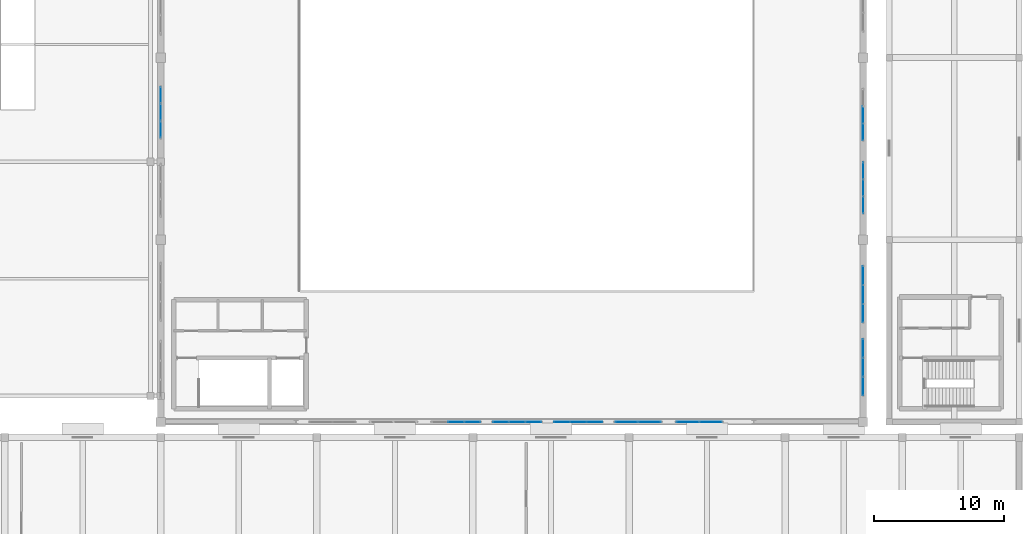
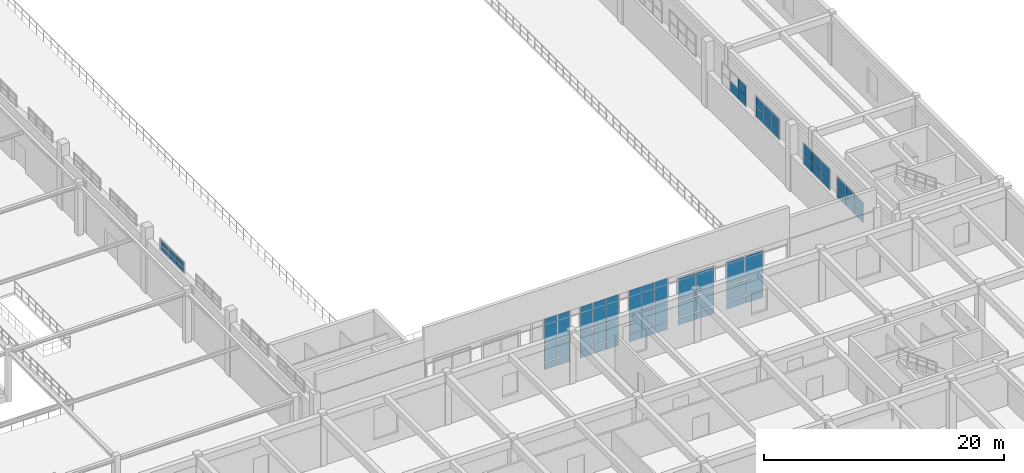
# One storey, part 163 of 197: 63 plates, 10 elements without a shape of their own.
"""IFC4 building model written with IfcOpenShell, lengths in metres."""

from ifc_helpers import new_model, si_unit, derived_unit, direction, frame, origin, origin_2d, place, context, subcontext, project, spatial, rectangle, extrude, material, layer, layer_set, type_object, element, aggregate, save


model = new_model("IFC4")

# Units and contexts
model_context = context("Model", 3, precision=1e-05, world=origin(), true_north=direction((0.0, 1.0)))
body_context = subcontext(model_context, "Body", "Model", "MODEL_VIEW")
ifc_project = project(units=[si_unit("LENGTHUNIT", "METRE"), si_unit("AREAUNIT", "SQUARE_METRE"), si_unit("VOLUMEUNIT", "CUBIC_METRE"), si_unit("PLANEANGLEUNIT", "RADIAN"), si_unit("MASSUNIT", "GRAM", prefix="KILO"), derived_unit("THERMALTRANSMITTANCEUNIT", [(si_unit("POWERUNIT", "WATT"), 1), (si_unit("LENGTHUNIT", "METRE"), -2), (si_unit("THERMODYNAMICTEMPERATUREUNIT", "KELVIN"), -1)])], contexts=[model_context])

# Site, building, storey
site_placement = place(None, origin())
site = spatial("IfcSite", under=ifc_project, at=site_placement, CompositionType="ELEMENT")
building_placement = place(site_placement, origin())
building = spatial("IfcBuilding", under=site, at=building_placement, Name="Almenara Railside Exhibition Hall", CompositionType="ELEMENT")
storey_placement = place(building_placement, frame((0.0, 0.0, 5.39990234375)))
storey = spatial("IfcBuildingStorey", under=building, at=storey_placement, Name="L01", CompositionType="ELEMENT", Elevation=5.39990234375)

# Curtain wall, plates
ifc_material_1 = material(Name="Bronze-anodised aluminium and low-E double glazing", Category="aluminium")
ifc_layer_1 = layer(ifc_material_1, 0.179931640625, Name="Bronze-anodised aluminium and low-E double glazing")
ifc_layer_set_1 = layer_set([ifc_layer_1], Name="Bronze-anodised aluminium and low-E double glazing")
curtain_wall_type_1 = type_object("IfcCurtainWallType", Name="Scroll Gable Standard Curtain Wall 3600x5000", PredefinedType="NOTDEFINED", material=ifc_layer_set_1)
curtain_wall_1_placement = place(storey_placement, origin())
curtain_wall_1 = element("IfcCurtainWall", 1, at=curtain_wall_1_placement, inside=storey, type_object=curtain_wall_type_1, Name="Curtain wall CW-G2-085", PredefinedType="NOTDEFINED")
ifc_material_2 = material(Name="Solar-control acoustic laminated glazing", Category="glass")
ifc_layer_2 = layer(ifc_material_2, 0.031982421875, Name="Solar-control acoustic laminated glazing")
ifc_layer_set_2 = layer_set([ifc_layer_2], Name="Solar-control acoustic laminated glazing")
plate_type_1 = type_object("IfcPlateType", Name="Acoustic Low-E Double Glazing Panel 32mm", PredefinedType="CURTAIN_PANEL", material=ifc_layer_set_2)
plate_1_placement = place(storey_placement, frame((178.516357421875, 34.0, 1.173828125), z_axis=(0.0, 0.0, 1.0), x_axis=(1.0, 0.0, 0.0)))
plate_1 = element("IfcPlate", 2, at=plate_1_placement, type_object=plate_type_1, Name="CW-G2-085 panel 1.1", PredefinedType="CURTAIN_PANEL", context=body_context, shape_type="SweptSolid", body=[
    extrude(rectangle(XDim=1.718505859375, YDim=0.031982421875, at=origin_2d()), origin(), (0.0, 0.0, 1.0), 0.672119140625),
])
plate_2_placement = place(storey_placement, frame((178.516357421875, 34.0, 1.9541015625), z_axis=(0.0, 0.0, 1.0), x_axis=(1.0, 0.0, 0.0)))
plate_2 = element("IfcPlate", 3, at=plate_2_placement, type_object=plate_type_1, Name="CW-G2-085 panel 1.2", PredefinedType="CURTAIN_PANEL", context=body_context, shape_type="SweptSolid", body=[
    extrude(rectangle(XDim=1.718505859375, YDim=0.031982421875, at=origin_2d()), origin(), (0.0, 0.0, 1.0), 1.5419921875),
])
plate_3_placement = place(storey_placement, frame((178.516357421875, 34.0, 3.60400390625), z_axis=(0.0, 0.0, 1.0), x_axis=(1.0, 0.0, 0.0)))
plate_3 = element("IfcPlate", 4, at=plate_3_placement, type_object=plate_type_1, Name="CW-G2-085 panel 1.3", PredefinedType="CURTAIN_PANEL", context=body_context, shape_type="SweptSolid", body=[
    extrude(rectangle(XDim=1.718505859375, YDim=0.031982421875, at=origin_2d()), origin(), (0.0, 0.0, 1.0), 2.322021484375),
])
plate_4_placement = place(storey_placement, frame((180.28369140625, 34.0, 1.173828125), z_axis=(0.0, 0.0, 1.0), x_axis=(1.0, 0.0, 0.0)))
plate_4 = element("IfcPlate", 5, at=plate_4_placement, type_object=plate_type_1, Name="CW-G2-085 panel 2.1", PredefinedType="CURTAIN_PANEL", context=body_context, shape_type="SweptSolid", body=[
    extrude(rectangle(XDim=1.718505859375, YDim=0.031982421875, at=origin_2d()), origin(), (0.0, 0.0, 1.0), 0.672119140625),
])
plate_5_placement = place(storey_placement, frame((180.28369140625, 34.0, 1.9541015625), z_axis=(0.0, 0.0, 1.0), x_axis=(1.0, 0.0, 0.0)))
plate_5 = element("IfcPlate", 6, at=plate_5_placement, type_object=plate_type_1, Name="CW-G2-085 panel 2.2", PredefinedType="CURTAIN_PANEL", context=body_context, shape_type="SweptSolid", body=[
    extrude(rectangle(XDim=1.718505859375, YDim=0.031982421875, at=origin_2d()), origin(), (0.0, 0.0, 1.0), 1.5419921875),
])
plate_6_placement = place(storey_placement, frame((180.28369140625, 34.0, 3.60400390625), z_axis=(0.0, 0.0, 1.0), x_axis=(1.0, 0.0, 0.0)))
plate_6 = element("IfcPlate", 7, at=plate_6_placement, type_object=plate_type_1, Name="CW-G2-085 panel 2.3", PredefinedType="CURTAIN_PANEL", context=body_context, shape_type="SweptSolid", body=[
    extrude(rectangle(XDim=1.718505859375, YDim=0.031982421875, at=origin_2d()), origin(), (0.0, 0.0, 1.0), 2.322021484375),
])
aggregate(curtain_wall_1, [plate_1, plate_2, plate_3, plate_4, plate_5, plate_6])

ifc_layer_3 = layer(ifc_material_1, 0.179931640625, Name="Bronze-anodised aluminium and low-E double glazing")
ifc_layer_set_3 = layer_set([ifc_layer_3], Name="Bronze-anodised aluminium and low-E double glazing")
curtain_wall_type_2 = type_object("IfcCurtainWallType", Name="East Hall Clerestory Curtain Wall 4000x2100", PredefinedType="NOTDEFINED", material=ifc_layer_set_3)
curtain_wall_2_placement = place(storey_placement, origin())
curtain_wall_2 = element("IfcCurtainWall", 8, at=curtain_wall_2_placement, inside=storey, type_object=curtain_wall_type_2, Name="Curtain wall CW-CL4-057", PredefinedType="NOTDEFINED")
ifc_material_3 = material(Name="Clear low-E laminated double glazing", Category="glass")
ifc_layer_4 = layer(ifc_material_3, 0.02392578125, Name="Clear low-E laminated double glazing")
ifc_layer_set_4 = layer_set([ifc_layer_4], Name="Clear low-E laminated double glazing")
plate_type_2 = type_object("IfcPlateType", Name="Courtyard Clear Double Glazing Panel 24mm", PredefinedType="CURTAIN_PANEL", material=ifc_layer_set_4)
plate_7_placement = place(storey_placement, frame((192.0, 50.681640625, 3.744140625), z_axis=(0.0, 0.0, 1.0), x_axis=(0.0, 1.0, 0.0)))
plate_7 = element("IfcPlate", 9, at=plate_7_placement, type_object=plate_type_2, Name="CW-CL4-057 panel 1.1", PredefinedType="CURTAIN_PANEL", context=body_context, shape_type="SweptSolid", body=[
    extrude(rectangle(XDim=1.25927734375, YDim=0.02392578125, at=origin_2d()), origin(), (0.0, 0.0, 1.0), 0.967041015625),
])
plate_8_placement = place(storey_placement, frame((192.0, 50.681640625, 4.7890625), z_axis=(0.0, 0.0, 1.0), x_axis=(0.0, 1.0, 0.0)))
plate_8 = element("IfcPlate", 10, at=plate_8_placement, type_object=plate_type_2, Name="CW-CL4-057 panel 1.2", PredefinedType="CURTAIN_PANEL", context=body_context, shape_type="SweptSolid", body=[
    extrude(rectangle(XDim=1.25927734375, YDim=0.02392578125, at=origin_2d()), origin(), (0.0, 0.0, 1.0), 0.967041015625),
])
plate_9_placement = place(storey_placement, frame((192.0, 52.0, 3.744140625), z_axis=(0.0, 0.0, 1.0), x_axis=(0.0, 1.0, 0.0)))
plate_9 = element("IfcPlate", 11, at=plate_9_placement, type_object=plate_type_2, Name="CW-CL4-057 panel 2.1", PredefinedType="CURTAIN_PANEL", context=body_context, shape_type="SweptSolid", body=[
    extrude(rectangle(XDim=1.289306640625, YDim=0.02392578125, at=origin_2d()), origin(), (0.0, 0.0, 1.0), 0.967041015625),
])
plate_10_placement = place(storey_placement, frame((192.0, 52.0, 4.7890625), z_axis=(0.0, 0.0, 1.0), x_axis=(0.0, 1.0, 0.0)))
plate_10 = element("IfcPlate", 12, at=plate_10_placement, type_object=plate_type_2, Name="CW-CL4-057 panel 2.2", PredefinedType="CURTAIN_PANEL", context=body_context, shape_type="SweptSolid", body=[
    extrude(rectangle(XDim=1.289306640625, YDim=0.02392578125, at=origin_2d()), origin(), (0.0, 0.0, 1.0), 0.967041015625),
])
plate_11_placement = place(storey_placement, frame((192.0, 53.318359375, 3.744140625), z_axis=(0.0, 0.0, 1.0), x_axis=(0.0, 1.0, 0.0)))
plate_11 = element("IfcPlate", 13, at=plate_11_placement, type_object=plate_type_2, Name="CW-CL4-057 panel 3.1", PredefinedType="CURTAIN_PANEL", context=body_context, shape_type="SweptSolid", body=[
    extrude(rectangle(XDim=1.25927734375, YDim=0.02392578125, at=origin_2d()), origin(), (0.0, 0.0, 1.0), 0.967041015625),
])
plate_12_placement = place(storey_placement, frame((192.0, 53.318359375, 4.7890625), z_axis=(0.0, 0.0, 1.0), x_axis=(0.0, 1.0, 0.0)))
plate_12 = element("IfcPlate", 14, at=plate_12_placement, type_object=plate_type_2, Name="CW-CL4-057 panel 3.2", PredefinedType="CURTAIN_PANEL", context=body_context, shape_type="SweptSolid", body=[
    extrude(rectangle(XDim=1.25927734375, YDim=0.02392578125, at=origin_2d()), origin(), (0.0, 0.0, 1.0), 0.967041015625),
])
aggregate(curtain_wall_2, [plate_7, plate_8, plate_9, plate_10, plate_11, plate_12])

ifc_layer_5 = layer(ifc_material_1, 0.179931640625, Name="Bronze-anodised aluminium and low-E double glazing")
ifc_layer_set_5 = layer_set([ifc_layer_5], Name="Bronze-anodised aluminium and low-E double glazing")
curtain_wall_type_3 = type_object("IfcCurtainWallType", Name="Scroll Gable Tall Curtain Wall 3800x5400", PredefinedType="NOTDEFINED", material=ifc_layer_set_5)
curtain_wall_3_placement = place(storey_placement, origin())
curtain_wall_3 = element("IfcCurtainWall", 15, at=curtain_wall_3_placement, inside=storey, type_object=curtain_wall_type_3, Name="Curtain wall CW-G1-082", PredefinedType="NOTDEFINED")
plate_13_placement = place(storey_placement, frame((164.1484375, 34.0, 1.14404296875), z_axis=(0.0, 0.0, 1.0), x_axis=(1.0, 0.0, 0.0)))
plate_13 = element("IfcPlate", 16, at=plate_13_placement, type_object=plate_type_2, Name="CW-G1-082 panel 1.1", PredefinedType="CURTAIN_PANEL", context=body_context, shape_type="SweptSolid", body=[
    extrude(rectangle(XDim=1.192626953125, YDim=0.02392578125, at=origin_2d()), origin(), (0.0, 0.0, 1.0), 0.717041015625),
])
plate_14_placement = place(storey_placement, frame((164.1484375, 34.0, 1.939208984375), z_axis=(0.0, 0.0, 1.0), x_axis=(1.0, 0.0, 0.0)))
plate_14 = element("IfcPlate", 17, at=plate_14_placement, type_object=plate_type_2, Name="CW-G1-082 panel 1.2", PredefinedType="CURTAIN_PANEL", context=body_context, shape_type="SweptSolid", body=[
    extrude(rectangle(XDim=1.192626953125, YDim=0.02392578125, at=origin_2d()), origin(), (0.0, 0.0, 1.0), 1.77197265625),
])
plate_15_placement = place(storey_placement, frame((164.1484375, 34.0, 3.7890625), z_axis=(0.0, 0.0, 1.0), x_axis=(1.0, 0.0, 0.0)))
plate_15 = element("IfcPlate", 18, at=plate_15_placement, type_object=plate_type_2, Name="CW-G1-082 panel 1.3", PredefinedType="CURTAIN_PANEL", context=body_context, shape_type="SweptSolid", body=[
    extrude(rectangle(XDim=1.192626953125, YDim=0.02392578125, at=origin_2d()), origin(), (0.0, 0.0, 1.0), 2.56689453125),
])
plate_16_placement = place(storey_placement, frame((165.39990234375, 34.0, 1.14404296875), z_axis=(0.0, 0.0, 1.0), x_axis=(1.0, 0.0, 0.0)))
plate_16 = element("IfcPlate", 19, at=plate_16_placement, type_object=plate_type_2, Name="CW-G1-082 panel 2.1", PredefinedType="CURTAIN_PANEL", context=body_context, shape_type="SweptSolid", body=[
    extrude(rectangle(XDim=1.22265625, YDim=0.02392578125, at=origin_2d()), origin(), (0.0, 0.0, 1.0), 0.717041015625),
])
plate_17_placement = place(storey_placement, frame((165.39990234375, 34.0, 1.939208984375), z_axis=(0.0, 0.0, 1.0), x_axis=(1.0, 0.0, 0.0)))
plate_17 = element("IfcPlate", 20, at=plate_17_placement, type_object=plate_type_2, Name="CW-G1-082 panel 2.2", PredefinedType="CURTAIN_PANEL", context=body_context, shape_type="SweptSolid", body=[
    extrude(rectangle(XDim=1.22265625, YDim=0.02392578125, at=origin_2d()), origin(), (0.0, 0.0, 1.0), 1.77197265625),
])
plate_18_placement = place(storey_placement, frame((165.39990234375, 34.0, 3.7890625), z_axis=(0.0, 0.0, 1.0), x_axis=(1.0, 0.0, 0.0)))
plate_18 = element("IfcPlate", 21, at=plate_18_placement, type_object=plate_type_2, Name="CW-G1-082 panel 2.3", PredefinedType="CURTAIN_PANEL", context=body_context, shape_type="SweptSolid", body=[
    extrude(rectangle(XDim=1.22265625, YDim=0.02392578125, at=origin_2d()), origin(), (0.0, 0.0, 1.0), 2.56689453125),
])
plate_19_placement = place(storey_placement, frame((166.651611328125, 34.0, 1.14404296875), z_axis=(0.0, 0.0, 1.0), x_axis=(1.0, 0.0, 0.0)))
plate_19 = element("IfcPlate", 22, at=plate_19_placement, type_object=plate_type_2, Name="CW-G1-082 panel 3.1", PredefinedType="CURTAIN_PANEL", context=body_context, shape_type="SweptSolid", body=[
    extrude(rectangle(XDim=1.192626953125, YDim=0.02392578125, at=origin_2d()), origin(), (0.0, 0.0, 1.0), 0.717041015625),
])
plate_20_placement = place(storey_placement, frame((166.651611328125, 34.0, 1.939208984375), z_axis=(0.0, 0.0, 1.0), x_axis=(1.0, 0.0, 0.0)))
plate_20 = element("IfcPlate", 23, at=plate_20_placement, type_object=plate_type_2, Name="CW-G1-082 panel 3.2", PredefinedType="CURTAIN_PANEL", context=body_context, shape_type="SweptSolid", body=[
    extrude(rectangle(XDim=1.192626953125, YDim=0.02392578125, at=origin_2d()), origin(), (0.0, 0.0, 1.0), 1.77197265625),
])
plate_21_placement = place(storey_placement, frame((166.651611328125, 34.0, 3.7890625), z_axis=(0.0, 0.0, 1.0), x_axis=(1.0, 0.0, 0.0)))
plate_21 = element("IfcPlate", 24, at=plate_21_placement, type_object=plate_type_2, Name="CW-G1-082 panel 3.3", PredefinedType="CURTAIN_PANEL", context=body_context, shape_type="SweptSolid", body=[
    extrude(rectangle(XDim=1.192626953125, YDim=0.02392578125, at=origin_2d()), origin(), (0.0, 0.0, 1.0), 2.56689453125),
])
aggregate(curtain_wall_3, [plate_13, plate_14, plate_15, plate_16, plate_17, plate_18, plate_19, plate_20, plate_21])

ifc_layer_6 = layer(ifc_material_1, 0.179931640625, Name="Bronze-anodised aluminium and low-E double glazing")
ifc_layer_set_6 = layer_set([ifc_layer_6], Name="Bronze-anodised aluminium and low-E double glazing")
curtain_wall_type_4 = type_object("IfcCurtainWallType", Name="East Hall Clerestory Curtain Wall 4400x2300", PredefinedType="NOTDEFINED", material=ifc_layer_set_6)
curtain_wall_4_placement = place(storey_placement, origin())
curtain_wall_4 = element("IfcCurtainWall", 25, at=curtain_wall_4_placement, inside=storey, type_object=curtain_wall_type_4, Name="Curtain wall CW-CL3-053", PredefinedType="NOTDEFINED")
ifc_material_4 = material(Name="Bronze-anodised insulated aluminium spandrel", Category="aluminium")
ifc_layer_7 = layer(ifc_material_4, 0.0400390625, Name="Bronze-anodised insulated aluminium spandrel")
ifc_layer_set_7 = layer_set([ifc_layer_7], Name="Bronze-anodised insulated aluminium spandrel")
plate_type_3 = type_object("IfcPlateType", Name="Insulated Bronze Spandrel Panel 40mm", PredefinedType="CURTAIN_PANEL", material=ifc_layer_set_7)
plate_22_placement = place(storey_placement, frame((192.0, 36.748291015625, 3.744140625), z_axis=(0.0, 0.0, 1.0), x_axis=(0.0, 1.0, 0.0)))
plate_22 = element("IfcPlate", 26, at=plate_22_placement, type_object=plate_type_3, Name="CW-CL3-053 panel 1.1", PredefinedType="CURTAIN_PANEL", context=body_context, shape_type="SweptSolid", body=[
    extrude(rectangle(XDim=1.392578125, YDim=0.0400390625, at=origin_2d()), origin(), (0.0, 0.0, 1.0), 0.967041015625),
])
plate_23_placement = place(storey_placement, frame((192.0, 36.748291015625, 4.7890625), z_axis=(0.0, 0.0, 1.0), x_axis=(0.0, 1.0, 0.0)))
plate_23 = element("IfcPlate", 27, at=plate_23_placement, type_object=plate_type_3, Name="CW-CL3-053 panel 1.2", PredefinedType="CURTAIN_PANEL", context=body_context, shape_type="SweptSolid", body=[
    extrude(rectangle(XDim=1.392578125, YDim=0.0400390625, at=origin_2d()), origin(), (0.0, 0.0, 1.0), 0.967041015625),
])
plate_24_placement = place(storey_placement, frame((192.0, 38.199951171875, 3.744140625), z_axis=(0.0, 0.0, 1.0), x_axis=(0.0, 1.0, 0.0)))
plate_24 = element("IfcPlate", 28, at=plate_24_placement, type_object=plate_type_3, Name="CW-CL3-053 panel 2.1", PredefinedType="CURTAIN_PANEL", context=body_context, shape_type="SweptSolid", body=[
    extrude(rectangle(XDim=1.422607421875, YDim=0.0400390625, at=origin_2d()), origin(), (0.0, 0.0, 1.0), 0.967041015625),
])
plate_25_placement = place(storey_placement, frame((192.0, 38.199951171875, 4.7890625), z_axis=(0.0, 0.0, 1.0), x_axis=(0.0, 1.0, 0.0)))
plate_25 = element("IfcPlate", 29, at=plate_25_placement, type_object=plate_type_3, Name="CW-CL3-053 panel 2.2", PredefinedType="CURTAIN_PANEL", context=body_context, shape_type="SweptSolid", body=[
    extrude(rectangle(XDim=1.422607421875, YDim=0.0400390625, at=origin_2d()), origin(), (0.0, 0.0, 1.0), 0.967041015625),
])
plate_26_placement = place(storey_placement, frame((192.0, 39.651611328125, 3.744140625), z_axis=(0.0, 0.0, 1.0), x_axis=(0.0, 1.0, 0.0)))
plate_26 = element("IfcPlate", 30, at=plate_26_placement, type_object=plate_type_3, Name="CW-CL3-053 panel 3.1", PredefinedType="CURTAIN_PANEL", context=body_context, shape_type="SweptSolid", body=[
    extrude(rectangle(XDim=1.392578125, YDim=0.0400390625, at=origin_2d()), origin(), (0.0, 0.0, 1.0), 0.967041015625),
])
plate_27_placement = place(storey_placement, frame((192.0, 39.651611328125, 4.7890625), z_axis=(0.0, 0.0, 1.0), x_axis=(0.0, 1.0, 0.0)))
plate_27 = element("IfcPlate", 31, at=plate_27_placement, type_object=plate_type_3, Name="CW-CL3-053 panel 3.2", PredefinedType="CURTAIN_PANEL", context=body_context, shape_type="SweptSolid", body=[
    extrude(rectangle(XDim=1.392578125, YDim=0.0400390625, at=origin_2d()), origin(), (0.0, 0.0, 1.0), 0.967041015625),
])
aggregate(curtain_wall_4, [plate_22, plate_23, plate_24, plate_25, plate_26, plate_27])

curtain_wall_5_placement = place(storey_placement, origin())
curtain_wall_5 = element("IfcCurtainWall", 32, at=curtain_wall_5_placement, inside=storey, type_object=curtain_wall_type_2, Name="Curtain wall CW-CL4-058", PredefinedType="NOTDEFINED")
plate_28_placement = place(storey_placement, frame((192.0, 56.280517578125, 3.72412109375), z_axis=(0.0, 0.0, 1.0), x_axis=(0.0, 1.0, 0.0)))
plate_28 = element("IfcPlate", 33, at=plate_28_placement, type_object=plate_type_3, Name="CW-CL4-058 panel 1.1", PredefinedType="CURTAIN_PANEL", context=body_context, shape_type="SweptSolid", body=[
    extrude(rectangle(XDim=1.266845703125, YDim=0.0400390625, at=origin_2d()), origin(), (0.0, 0.0, 1.0), 0.9970703125),
])
plate_29_placement = place(storey_placement, frame((192.0, 56.280517578125, 4.779052734375), z_axis=(0.0, 0.0, 1.0), x_axis=(0.0, 1.0, 0.0)))
plate_29 = element("IfcPlate", 34, at=plate_29_placement, type_object=plate_type_3, Name="CW-CL4-058 panel 1.2", PredefinedType="CURTAIN_PANEL", context=body_context, shape_type="SweptSolid", body=[
    extrude(rectangle(XDim=1.266845703125, YDim=0.0400390625, at=origin_2d()), origin(), (0.0, 0.0, 1.0), 0.9970703125),
])
plate_30_placement = place(storey_placement, frame((192.0, 57.60009765625, 3.72412109375), z_axis=(0.0, 0.0, 1.0), x_axis=(0.0, 1.0, 0.0)))
plate_30 = element("IfcPlate", 35, at=plate_30_placement, type_object=plate_type_3, Name="CW-CL4-058 panel 2.1", PredefinedType="CURTAIN_PANEL", context=body_context, shape_type="SweptSolid", body=[
    extrude(rectangle(XDim=1.29443359375, YDim=0.0400390625, at=origin_2d()), origin(), (0.0, 0.0, 1.0), 0.9970703125),
])
aggregate(curtain_wall_5, [plate_28, plate_29, plate_30])

curtain_wall_6_placement = place(storey_placement, origin())
curtain_wall_6 = element("IfcCurtainWall", 36, at=curtain_wall_6_placement, inside=storey, type_object=curtain_wall_type_3, Name="Curtain wall CW-G1-083", PredefinedType="NOTDEFINED")
plate_31_placement = place(storey_placement, frame((168.84716796875, 34.0, 1.1240234375), z_axis=(0.0, 0.0, 1.0), x_axis=(1.0, 0.0, 0.0)))
plate_31 = element("IfcPlate", 37, at=plate_31_placement, type_object=plate_type_3, Name="CW-G1-083 panel 1.1", PredefinedType="CURTAIN_PANEL", context=body_context, shape_type="SweptSolid", body=[
    extrude(rectangle(XDim=1.2001953125, YDim=0.0400390625, at=origin_2d()), origin(), (0.0, 0.0, 1.0), 0.7470703125),
])
plate_32_placement = place(storey_placement, frame((168.84716796875, 34.0, 1.92919921875), z_axis=(0.0, 0.0, 1.0), x_axis=(1.0, 0.0, 0.0)))
plate_32 = element("IfcPlate", 38, at=plate_32_placement, type_object=plate_type_3, Name="CW-G1-083 panel 1.2", PredefinedType="CURTAIN_PANEL", context=body_context, shape_type="SweptSolid", body=[
    extrude(rectangle(XDim=1.2001953125, YDim=0.0400390625, at=origin_2d()), origin(), (0.0, 0.0, 1.0), 1.7919921875),
])
plate_33_placement = place(storey_placement, frame((168.84716796875, 34.0, 3.779296875), z_axis=(0.0, 0.0, 1.0), x_axis=(1.0, 0.0, 0.0)))
plate_33 = element("IfcPlate", 39, at=plate_33_placement, type_object=plate_type_3, Name="CW-G1-083 panel 1.3", PredefinedType="CURTAIN_PANEL", context=body_context, shape_type="SweptSolid", body=[
    extrude(rectangle(XDim=1.2001953125, YDim=0.0400390625, at=origin_2d()), origin(), (0.0, 0.0, 1.0), 2.596923828125),
])
plate_34_placement = place(storey_placement, frame((170.10009765625, 34.0, 1.1240234375), z_axis=(0.0, 0.0, 1.0), x_axis=(1.0, 0.0, 0.0)))
plate_34 = element("IfcPlate", 40, at=plate_34_placement, type_object=plate_type_3, Name="CW-G1-083 panel 2.1", PredefinedType="CURTAIN_PANEL", context=body_context, shape_type="SweptSolid", body=[
    extrude(rectangle(XDim=1.227783203125, YDim=0.0400390625, at=origin_2d()), origin(), (0.0, 0.0, 1.0), 0.7470703125),
])
plate_35_placement = place(storey_placement, frame((170.10009765625, 34.0, 1.92919921875), z_axis=(0.0, 0.0, 1.0), x_axis=(1.0, 0.0, 0.0)))
plate_35 = element("IfcPlate", 41, at=plate_35_placement, type_object=plate_type_3, Name="CW-G1-083 panel 2.2", PredefinedType="CURTAIN_PANEL", context=body_context, shape_type="SweptSolid", body=[
    extrude(rectangle(XDim=1.227783203125, YDim=0.0400390625, at=origin_2d()), origin(), (0.0, 0.0, 1.0), 1.7919921875),
])
plate_36_placement = place(storey_placement, frame((170.10009765625, 34.0, 3.779296875), z_axis=(0.0, 0.0, 1.0), x_axis=(1.0, 0.0, 0.0)))
plate_36 = element("IfcPlate", 42, at=plate_36_placement, type_object=plate_type_3, Name="CW-G1-083 panel 2.3", PredefinedType="CURTAIN_PANEL", context=body_context, shape_type="SweptSolid", body=[
    extrude(rectangle(XDim=1.227783203125, YDim=0.0400390625, at=origin_2d()), origin(), (0.0, 0.0, 1.0), 2.596923828125),
])
plate_37_placement = place(storey_placement, frame((171.35302734375, 34.0, 1.1240234375), z_axis=(0.0, 0.0, 1.0), x_axis=(1.0, 0.0, 0.0)))
plate_37 = element("IfcPlate", 43, at=plate_37_placement, type_object=plate_type_3, Name="CW-G1-083 panel 3.1", PredefinedType="CURTAIN_PANEL", context=body_context, shape_type="SweptSolid", body=[
    extrude(rectangle(XDim=1.2001953125, YDim=0.0400390625, at=origin_2d()), origin(), (0.0, 0.0, 1.0), 0.7470703125),
])
plate_38_placement = place(storey_placement, frame((171.35302734375, 34.0, 1.92919921875), z_axis=(0.0, 0.0, 1.0), x_axis=(1.0, 0.0, 0.0)))
plate_38 = element("IfcPlate", 44, at=plate_38_placement, type_object=plate_type_3, Name="CW-G1-083 panel 3.2", PredefinedType="CURTAIN_PANEL", context=body_context, shape_type="SweptSolid", body=[
    extrude(rectangle(XDim=1.2001953125, YDim=0.0400390625, at=origin_2d()), origin(), (0.0, 0.0, 1.0), 1.7919921875),
])
plate_39_placement = place(storey_placement, frame((171.35302734375, 34.0, 3.779296875), z_axis=(0.0, 0.0, 1.0), x_axis=(1.0, 0.0, 0.0)))
plate_39 = element("IfcPlate", 45, at=plate_39_placement, type_object=plate_type_3, Name="CW-G1-083 panel 3.3", PredefinedType="CURTAIN_PANEL", context=body_context, shape_type="SweptSolid", body=[
    extrude(rectangle(XDim=1.2001953125, YDim=0.0400390625, at=origin_2d()), origin(), (0.0, 0.0, 1.0), 2.596923828125),
])
aggregate(curtain_wall_6, [plate_31, plate_32, plate_33, plate_34, plate_35, plate_36, plate_37, plate_38, plate_39])

curtain_wall_7_placement = place(storey_placement, origin())
curtain_wall_7 = element("IfcCurtainWall", 46, at=curtain_wall_7_placement, inside=storey, type_object=curtain_wall_type_4, Name="Curtain wall CW-CL3-054", PredefinedType="NOTDEFINED")
ifc_layer_8 = layer(ifc_material_4, 0.034912109375, Name="Bronze-anodised insulated aluminium spandrel")
ifc_layer_set_8 = layer_set([ifc_layer_8], Name="Bronze-anodised insulated aluminium spandrel")
plate_type_4 = type_object("IfcPlateType", Name="Insulated Stucco-Tone Spandrel Panel 35mm", PredefinedType="CURTAIN_PANEL", material=ifc_layer_set_8)
plate_40_placement = place(storey_placement, frame((192.0, 42.34716796875, 3.72412109375), z_axis=(0.0, 0.0, 1.0), x_axis=(0.0, 1.0, 0.0)))
plate_40 = element("IfcPlate", 47, at=plate_40_placement, type_object=plate_type_4, Name="CW-CL3-054 panel 1.1", PredefinedType="CURTAIN_PANEL", context=body_context, shape_type="SweptSolid", body=[
    extrude(rectangle(XDim=1.400146484375, YDim=0.034912109375, at=origin_2d()), origin(), (0.0, 0.0, 1.0), 0.9970703125),
])
plate_41_placement = place(storey_placement, frame((192.0, 42.34716796875, 4.779052734375), z_axis=(0.0, 0.0, 1.0), x_axis=(0.0, 1.0, 0.0)))
plate_41 = element("IfcPlate", 48, at=plate_41_placement, type_object=plate_type_4, Name="CW-CL3-054 panel 1.2", PredefinedType="CURTAIN_PANEL", context=body_context, shape_type="SweptSolid", body=[
    extrude(rectangle(XDim=1.400146484375, YDim=0.034912109375, at=origin_2d()), origin(), (0.0, 0.0, 1.0), 0.9970703125),
])
plate_42_placement = place(storey_placement, frame((192.0, 43.800048828125, 3.72412109375), z_axis=(0.0, 0.0, 1.0), x_axis=(0.0, 1.0, 0.0)))
plate_42 = element("IfcPlate", 49, at=plate_42_placement, type_object=plate_type_4, Name="CW-CL3-054 panel 2.1", PredefinedType="CURTAIN_PANEL", context=body_context, shape_type="SweptSolid", body=[
    extrude(rectangle(XDim=1.427734375, YDim=0.034912109375, at=origin_2d()), origin(), (0.0, 0.0, 1.0), 0.9970703125),
])
plate_43_placement = place(storey_placement, frame((192.0, 43.800048828125, 4.779052734375), z_axis=(0.0, 0.0, 1.0), x_axis=(0.0, 1.0, 0.0)))
plate_43 = element("IfcPlate", 50, at=plate_43_placement, type_object=plate_type_4, Name="CW-CL3-054 panel 2.2", PredefinedType="CURTAIN_PANEL", context=body_context, shape_type="SweptSolid", body=[
    extrude(rectangle(XDim=1.427734375, YDim=0.034912109375, at=origin_2d()), origin(), (0.0, 0.0, 1.0), 0.9970703125),
])
plate_44_placement = place(storey_placement, frame((192.0, 45.2529296875, 3.72412109375), z_axis=(0.0, 0.0, 1.0), x_axis=(0.0, 1.0, 0.0)))
plate_44 = element("IfcPlate", 51, at=plate_44_placement, type_object=plate_type_4, Name="CW-CL3-054 panel 3.1", PredefinedType="CURTAIN_PANEL", context=body_context, shape_type="SweptSolid", body=[
    extrude(rectangle(XDim=1.400146484375, YDim=0.034912109375, at=origin_2d()), origin(), (0.0, 0.0, 1.0), 0.9970703125),
])
plate_45_placement = place(storey_placement, frame((192.0, 45.2529296875, 4.779052734375), z_axis=(0.0, 0.0, 1.0), x_axis=(0.0, 1.0, 0.0)))
plate_45 = element("IfcPlate", 52, at=plate_45_placement, type_object=plate_type_4, Name="CW-CL3-054 panel 3.2", PredefinedType="CURTAIN_PANEL", context=body_context, shape_type="SweptSolid", body=[
    extrude(rectangle(XDim=1.400146484375, YDim=0.034912109375, at=origin_2d()), origin(), (0.0, 0.0, 1.0), 0.9970703125),
])
aggregate(curtain_wall_7, [plate_40, plate_41, plate_42, plate_43, plate_44, plate_45])

curtain_wall_8_placement = place(storey_placement, origin())
curtain_wall_8 = element("IfcCurtainWall", 53, at=curtain_wall_8_placement, inside=storey, type_object=curtain_wall_type_1, Name="Curtain wall CW-G2-084", PredefinedType="NOTDEFINED")
plate_46_placement = place(storey_placement, frame((173.8173828125, 34.0, 1.194091796875), z_axis=(0.0, 0.0, 1.0), x_axis=(1.0, 0.0, 0.0)))
plate_46 = element("IfcPlate", 54, at=plate_46_placement, type_object=plate_type_4, Name="CW-G2-084 panel 1.1", PredefinedType="CURTAIN_PANEL", context=body_context, shape_type="SweptSolid", body=[
    extrude(rectangle(XDim=1.7109375, YDim=0.034912109375, at=origin_2d()), origin(), (0.0, 0.0, 1.0), 0.64208984375),
])
plate_47_placement = place(storey_placement, frame((173.8173828125, 34.0, 1.964111328125), z_axis=(0.0, 0.0, 1.0), x_axis=(1.0, 0.0, 0.0)))
plate_47 = element("IfcPlate", 55, at=plate_47_placement, type_object=plate_type_4, Name="CW-G2-084 panel 1.2", PredefinedType="CURTAIN_PANEL", context=body_context, shape_type="SweptSolid", body=[
    extrude(rectangle(XDim=1.7109375, YDim=0.034912109375, at=origin_2d()), origin(), (0.0, 0.0, 1.0), 1.52197265625),
])
plate_48_placement = place(storey_placement, frame((173.8173828125, 34.0, 3.614013671875), z_axis=(0.0, 0.0, 1.0), x_axis=(1.0, 0.0, 0.0)))
plate_48 = element("IfcPlate", 56, at=plate_48_placement, type_object=plate_type_4, Name="CW-G2-084 panel 1.3", PredefinedType="CURTAIN_PANEL", context=body_context, shape_type="SweptSolid", body=[
    extrude(rectangle(XDim=1.7109375, YDim=0.034912109375, at=origin_2d()), origin(), (0.0, 0.0, 1.0), 2.2919921875),
])
plate_49_placement = place(storey_placement, frame((175.58251953125, 34.0, 1.194091796875), z_axis=(0.0, 0.0, 1.0), x_axis=(1.0, 0.0, 0.0)))
plate_49 = element("IfcPlate", 57, at=plate_49_placement, type_object=plate_type_4, Name="CW-G2-084 panel 2.1", PredefinedType="CURTAIN_PANEL", context=body_context, shape_type="SweptSolid", body=[
    extrude(rectangle(XDim=1.7109375, YDim=0.034912109375, at=origin_2d()), origin(), (0.0, 0.0, 1.0), 0.64208984375),
])
plate_50_placement = place(storey_placement, frame((175.58251953125, 34.0, 1.964111328125), z_axis=(0.0, 0.0, 1.0), x_axis=(1.0, 0.0, 0.0)))
plate_50 = element("IfcPlate", 58, at=plate_50_placement, type_object=plate_type_4, Name="CW-G2-084 panel 2.2", PredefinedType="CURTAIN_PANEL", context=body_context, shape_type="SweptSolid", body=[
    extrude(rectangle(XDim=1.7109375, YDim=0.034912109375, at=origin_2d()), origin(), (0.0, 0.0, 1.0), 1.52197265625),
])
plate_51_placement = place(storey_placement, frame((175.58251953125, 34.0, 3.614013671875), z_axis=(0.0, 0.0, 1.0), x_axis=(1.0, 0.0, 0.0)))
plate_51 = element("IfcPlate", 59, at=plate_51_placement, type_object=plate_type_4, Name="CW-G2-084 panel 2.3", PredefinedType="CURTAIN_PANEL", context=body_context, shape_type="SweptSolid", body=[
    extrude(rectangle(XDim=1.7109375, YDim=0.034912109375, at=origin_2d()), origin(), (0.0, 0.0, 1.0), 2.2919921875),
])
aggregate(curtain_wall_8, [plate_46, plate_47, plate_48, plate_49, plate_50, plate_51])

curtain_wall_9_placement = place(storey_placement, origin())
curtain_wall_9 = element("IfcCurtainWall", 60, at=curtain_wall_9_placement, inside=storey, type_object=curtain_wall_type_2, Name="Curtain wall CW-CL4-056", PredefinedType="NOTDEFINED")
ifc_material_5 = material(Name="Solar-control low-E laminated double glazing", Category="glass")
ifc_layer_9 = layer(ifc_material_5, 0.028076171875, Name="Solar-control low-E laminated double glazing")
ifc_layer_set_9 = layer_set([ifc_layer_9], Name="Solar-control low-E laminated double glazing")
plate_type_5 = type_object("IfcPlateType", Name="Low-E Solar Control Double Glazing Panel 28mm", PredefinedType="CURTAIN_PANEL", material=ifc_layer_set_9)
plate_52_placement = place(storey_placement, frame((138.0, 56.48291015625, 5.57421875), z_axis=(0.0, 0.0, 1.0), x_axis=(0.0, 1.0, 0.0)))
plate_52 = element("IfcPlate", 61, at=plate_52_placement, type_object=plate_type_5, Name="CW-CL4-056 panel 1.1", PredefinedType="CURTAIN_PANEL", context=body_context, shape_type="SweptSolid", body=[
    extrude(rectangle(XDim=1.251953125, YDim=0.028076171875, at=origin_2d()), origin(), (0.0, 0.0, 1.0), 0.422119140625),
])
plate_53_placement = place(storey_placement, frame((138.0, 56.48291015625, 6.10400390625), z_axis=(0.0, 0.0, 1.0), x_axis=(0.0, 1.0, 0.0)))
plate_53 = element("IfcPlate", 62, at=plate_53_placement, type_object=plate_type_5, Name="CW-CL4-056 panel 1.2", PredefinedType="CURTAIN_PANEL", context=body_context, shape_type="SweptSolid", body=[
    extrude(rectangle(XDim=1.251953125, YDim=0.028076171875, at=origin_2d()), origin(), (0.0, 0.0, 1.0), 0.422119140625),
])
plate_54_placement = place(storey_placement, frame((138.0, 57.800048828125, 5.57421875), z_axis=(0.0, 0.0, 1.0), x_axis=(0.0, 1.0, 0.0)))
plate_54 = element("IfcPlate", 63, at=plate_54_placement, type_object=plate_type_5, Name="CW-CL4-056 panel 2.1", PredefinedType="CURTAIN_PANEL", context=body_context, shape_type="SweptSolid", body=[
    extrude(rectangle(XDim=1.284423828125, YDim=0.028076171875, at=origin_2d()), origin(), (0.0, 0.0, 1.0), 0.422119140625),
])
plate_55_placement = place(storey_placement, frame((138.0, 57.800048828125, 6.10400390625), z_axis=(0.0, 0.0, 1.0), x_axis=(0.0, 1.0, 0.0)))
plate_55 = element("IfcPlate", 64, at=plate_55_placement, type_object=plate_type_5, Name="CW-CL4-056 panel 2.2", PredefinedType="CURTAIN_PANEL", context=body_context, shape_type="SweptSolid", body=[
    extrude(rectangle(XDim=1.284423828125, YDim=0.028076171875, at=origin_2d()), origin(), (0.0, 0.0, 1.0), 0.422119140625),
])
plate_56_placement = place(storey_placement, frame((138.0, 59.1171875, 5.57421875), z_axis=(0.0, 0.0, 1.0), x_axis=(0.0, 1.0, 0.0)))
plate_56 = element("IfcPlate", 65, at=plate_56_placement, type_object=plate_type_5, Name="CW-CL4-056 panel 3.1", PredefinedType="CURTAIN_PANEL", context=body_context, shape_type="SweptSolid", body=[
    extrude(rectangle(XDim=1.251953125, YDim=0.028076171875, at=origin_2d()), origin(), (0.0, 0.0, 1.0), 0.422119140625),
])
plate_57_placement = place(storey_placement, frame((138.0, 59.1171875, 6.10400390625), z_axis=(0.0, 0.0, 1.0), x_axis=(0.0, 1.0, 0.0)))
plate_57 = element("IfcPlate", 66, at=plate_57_placement, type_object=plate_type_5, Name="CW-CL4-056 panel 3.2", PredefinedType="CURTAIN_PANEL", context=body_context, shape_type="SweptSolid", body=[
    extrude(rectangle(XDim=1.251953125, YDim=0.028076171875, at=origin_2d()), origin(), (0.0, 0.0, 1.0), 0.422119140625),
])
aggregate(curtain_wall_9, [plate_52, plate_53, plate_54, plate_55, plate_56, plate_57])

curtain_wall_10_placement = place(storey_placement, origin())
curtain_wall_10 = element("IfcCurtainWall", 67, at=curtain_wall_10_placement, inside=storey, type_object=curtain_wall_type_3, Name="Curtain wall CW-G1-081", PredefinedType="NOTDEFINED")
plate_58_placement = place(storey_placement, frame((160.699951171875, 34.0, 1.173828125), z_axis=(0.0, 0.0, 1.0), x_axis=(1.0, 0.0, 0.0)))
plate_58 = element("IfcPlate", 68, at=plate_58_placement, type_object=plate_type_5, Name="CW-G1-081 panel 2.1", PredefinedType="CURTAIN_PANEL", context=body_context, shape_type="SweptSolid", body=[
    extrude(rectangle(XDim=1.2177734375, YDim=0.028076171875, at=origin_2d()), origin(), (0.0, 0.0, 1.0), 0.672119140625),
])
plate_59_placement = place(storey_placement, frame((160.699951171875, 34.0, 1.9541015625), z_axis=(0.0, 0.0, 1.0), x_axis=(1.0, 0.0, 0.0)))
plate_59 = element("IfcPlate", 69, at=plate_59_placement, type_object=plate_type_5, Name="CW-G1-081 panel 2.2", PredefinedType="CURTAIN_PANEL", context=body_context, shape_type="SweptSolid", body=[
    extrude(rectangle(XDim=1.2177734375, YDim=0.028076171875, at=origin_2d()), origin(), (0.0, 0.0, 1.0), 1.741943359375),
])
plate_60_placement = place(storey_placement, frame((160.699951171875, 34.0, 3.80419921875), z_axis=(0.0, 0.0, 1.0), x_axis=(1.0, 0.0, 0.0)))
plate_60 = element("IfcPlate", 70, at=plate_60_placement, type_object=plate_type_5, Name="CW-G1-081 panel 2.3", PredefinedType="CURTAIN_PANEL", context=body_context, shape_type="SweptSolid", body=[
    extrude(rectangle(XDim=1.2177734375, YDim=0.028076171875, at=origin_2d()), origin(), (0.0, 0.0, 1.0), 2.52197265625),
])
plate_61_placement = place(storey_placement, frame((161.950439453125, 34.0, 1.173828125), z_axis=(0.0, 0.0, 1.0), x_axis=(1.0, 0.0, 0.0)))
plate_61 = element("IfcPlate", 71, at=plate_61_placement, type_object=plate_type_5, Name="CW-G1-081 panel 3.1", PredefinedType="CURTAIN_PANEL", context=body_context, shape_type="SweptSolid", body=[
    extrude(rectangle(XDim=1.18505859375, YDim=0.028076171875, at=origin_2d()), origin(), (0.0, 0.0, 1.0), 0.672119140625),
])
plate_62_placement = place(storey_placement, frame((161.950439453125, 34.0, 1.9541015625), z_axis=(0.0, 0.0, 1.0), x_axis=(1.0, 0.0, 0.0)))
plate_62 = element("IfcPlate", 72, at=plate_62_placement, type_object=plate_type_5, Name="CW-G1-081 panel 3.2", PredefinedType="CURTAIN_PANEL", context=body_context, shape_type="SweptSolid", body=[
    extrude(rectangle(XDim=1.18505859375, YDim=0.028076171875, at=origin_2d()), origin(), (0.0, 0.0, 1.0), 1.741943359375),
])
plate_63_placement = place(storey_placement, frame((161.950439453125, 34.0, 3.80419921875), z_axis=(0.0, 0.0, 1.0), x_axis=(1.0, 0.0, 0.0)))
plate_63 = element("IfcPlate", 73, at=plate_63_placement, type_object=plate_type_5, Name="CW-G1-081 panel 3.3", PredefinedType="CURTAIN_PANEL", context=body_context, shape_type="SweptSolid", body=[
    extrude(rectangle(XDim=1.18505859375, YDim=0.028076171875, at=origin_2d()), origin(), (0.0, 0.0, 1.0), 2.52197265625),
])
aggregate(curtain_wall_10, [plate_58, plate_59, plate_60, plate_61, plate_62, plate_63])

save(model, "model.ifc")
